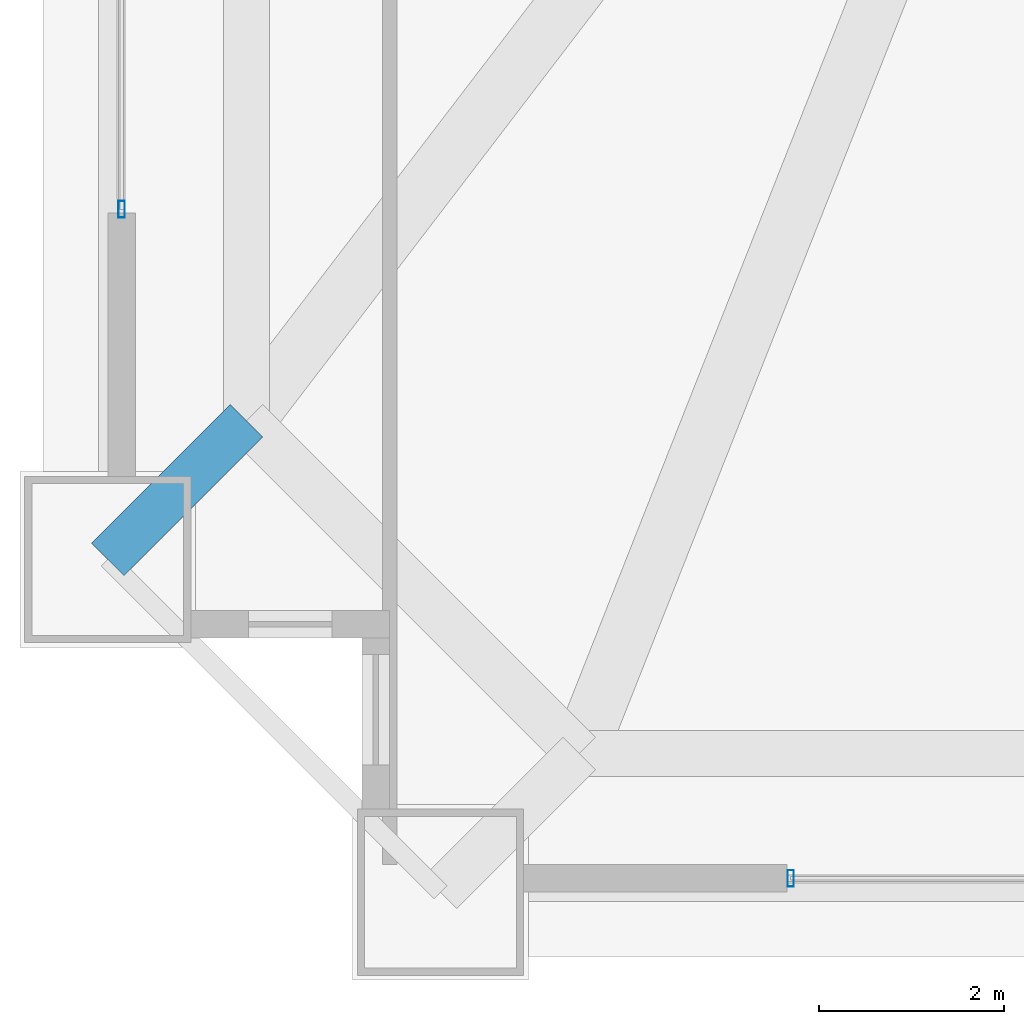
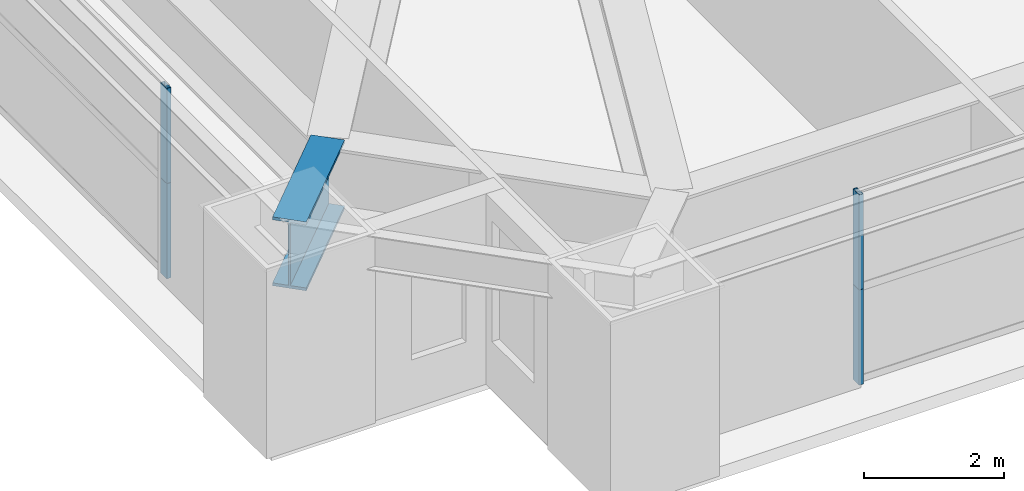
# One storey, part 3 of 44: 4 members, 1 beam, 2 elements without a shape of their own.
"""IFC4 building model written with IfcOpenShell, lengths in metres."""

from ifc_helpers import new_model, si_unit, direction, frame, origin, origin_2d, place, context, subcontext, project, spatial, hollow_rectangle, i_section, extrude, source, transform, mapped, material, layer, layer_set, material_profile, profile_set, type_object, element, aggregate, save


model = new_model("IFC4")

# Units and contexts
model_context = context("Model", 3, precision=1e-05, world=origin(), true_north=direction((0.0, 1.0)))
body_context = subcontext(model_context, "Body", "Model", "MODEL_VIEW")
ifc_project = project(units=[si_unit("LENGTHUNIT", "METRE"), si_unit("AREAUNIT", "SQUARE_METRE"), si_unit("VOLUMEUNIT", "CUBIC_METRE"), si_unit("PLANEANGLEUNIT", "RADIAN"), si_unit("MASSUNIT", "GRAM", prefix="KILO"), si_unit("THERMODYNAMICTEMPERATUREUNIT", "KELVIN"), si_unit("POWERUNIT", "WATT")], contexts=[model_context])

# Site, building, storey
site_placement = place(None, origin())
site = spatial("IfcSite", under=ifc_project, at=site_placement, CompositionType="ELEMENT")
building_placement = place(site_placement, origin())
building = spatial("IfcBuilding", under=site, at=building_placement, Name="Yuzanri Waterfront Tower", CompositionType="ELEMENT")
storey_placement = place(building_placement, frame((0.0, 0.0, 82.0)))
storey = spatial("IfcBuildingStorey", under=building, at=storey_placement, Name="L21", CompositionType="ELEMENT", Elevation=82.0)

# Beam
ifc_material_1 = material(Name="Steel Q420GJC", Category="steel")
ifc_material_profile_1 = material_profile(ifc_material_1, i_section(OverallWidth=0.5, OverallDepth=1.199951171875, WebThickness=0.028076171875, FlangeThickness=0.050048828125, at=origin_2d()), Name="PG 1200x500x28x50")
ifc_profile_set_1 = profile_set([ifc_material_profile_1], Name="Steel Q420GJC")
beam_type = type_object("IfcBeamType", Name="Setback Transfer Girder Q420GJC PG 1200x500", PredefinedType="USERDEFINED", material=ifc_profile_set_1)
shared_shape_1 = source(origin(), body_context, "Body", "SweptSolid", [
    extrude(i_section(OverallWidth=0.5, OverallDepth=1.199951171875, WebThickness=0.028076171875, FlangeThickness=0.050048828125, at=origin_2d()), origin(), (0.0, 0.0, 1.0), 2.121337890625),
])
beam_placement = place(storey_placement, frame((13.39990234375, 5.800048828125, 2.719970703125), z_axis=(-0.707106781187, -0.707106781187, 0.0), x_axis=(0.707106781187, -0.707106781187, 0.0)))
element("IfcBeam", 1, at=beam_placement, inside=storey, type_object=beam_type, Name="L21 Setback Step Transfer W1", ObjectType="GIRDER", PredefinedType="USERDEFINED", context=body_context, shape_type="MappedRepresentation", body=[
    mapped(shared_shape_1, transform((0.0, 0.0, 0.0), scale=1.0)),
])

# Curtain wall, members
ifc_material_2 = material(Name="Anodized Architectural Bronze", Category="metal")
ifc_layer = layer(ifc_material_2, 0.159912109375)
ifc_layer_set = layer_set([ifc_layer], Name="Anodized Architectural Bronze")
curtain_wall_type = type_object("IfcCurtainWallType", Name="Anodized Bronze Hotel Lower-Tier Recessed Unitized Curtain Wall 8100", PredefinedType="NOTDEFINED", material=ifc_layer_set)
curtain_wall_1_placement = place(storey_placement, origin())
curtain_wall_1 = element("IfcCurtainWall", 2, at=curtain_wall_1_placement, inside=storey, type_object=curtain_wall_type, Name="L21 Curtain Wall CW-L21-SL", PredefinedType="NOTDEFINED")
ifc_material_3 = material(Name="Anodized Architectural Bronze", Category="metal")
ifc_material_profile_2 = material_profile(ifc_material_3, hollow_rectangle(XDim=0.070068359375, YDim=0.179931640625, WallThickness=0.00390625, at=origin_2d()), Name="CWM 70x180")
ifc_profile_set_2 = profile_set([ifc_material_profile_2], Name="Anodized Architectural Bronze")
member_type = type_object("IfcMemberType", Name="Anodized Bronze Standard Curtain-Wall Mullion 70x180", PredefinedType="MULLION", material=ifc_profile_set_2)
shared_shape_2 = source(origin(), body_context, "Body", "SweptSolid", [
    extrude(hollow_rectangle(XDim=0.070068359375, YDim=0.179931640625, WallThickness=0.00390625, at=origin_2d()), origin(), (0.0, 0.0, 1.0), 1.657958984375),
])
member_1_placement = place(storey_placement, frame((19.2900390625, 0.85009765625, 0.0), z_axis=(0.0, 0.0, 1.0), x_axis=(1.0, 0.0, 0.0)))
member_1 = element("IfcMember", 3, at=member_1_placement, type_object=member_type, Name="CW-L21-SL Lower Mullion 00", PredefinedType="MULLION", context=body_context, shape_type="MappedRepresentation", body=[
    mapped(shared_shape_2, transform((0.0, 0.0, 0.0), scale=1.0)),
])
member_2_placement = place(storey_placement, frame((19.2900390625, 0.85009765625, 1.662109375), z_axis=(0.0, 0.0, 1.0), x_axis=(1.0, 0.0, 0.0)))
member_2 = element("IfcMember", 4, at=member_2_placement, type_object=member_type, Name="CW-L21-SL Upper Mullion 00", PredefinedType="MULLION", context=body_context, shape_type="MappedRepresentation", body=[
    mapped(shared_shape_2, transform((0.0, 0.0, 0.0), scale=1.0)),
])
aggregate(curtain_wall_1, [member_1, member_2])

curtain_wall_2_placement = place(storey_placement, origin())
curtain_wall_2 = element("IfcCurtainWall", 5, at=curtain_wall_2_placement, inside=storey, type_object=curtain_wall_type, Name="L21 Curtain Wall CW-L21-WL", PredefinedType="NOTDEFINED")
member_3_placement = place(storey_placement, frame((12.050048828125, 8.090087890625, 0.0), z_axis=(0.0, 0.0, 1.0), x_axis=(1.0, 0.0, 0.0)))
member_3 = element("IfcMember", 6, at=member_3_placement, type_object=member_type, Name="CW-L21-WL Lower Mullion 00", PredefinedType="MULLION", context=body_context, shape_type="MappedRepresentation", body=[
    mapped(shared_shape_2, transform((0.0, 0.0, 0.0), scale=1.0)),
])
member_4_placement = place(storey_placement, frame((12.050048828125, 8.090087890625, 1.662109375), z_axis=(0.0, 0.0, 1.0), x_axis=(1.0, 0.0, 0.0)))
member_4 = element("IfcMember", 7, at=member_4_placement, type_object=member_type, Name="CW-L21-WL Upper Mullion 00", PredefinedType="MULLION", context=body_context, shape_type="MappedRepresentation", body=[
    mapped(shared_shape_2, transform((0.0, 0.0, 0.0), scale=1.0)),
])
aggregate(curtain_wall_2, [member_3, member_4])

save(model, "model.ifc")
